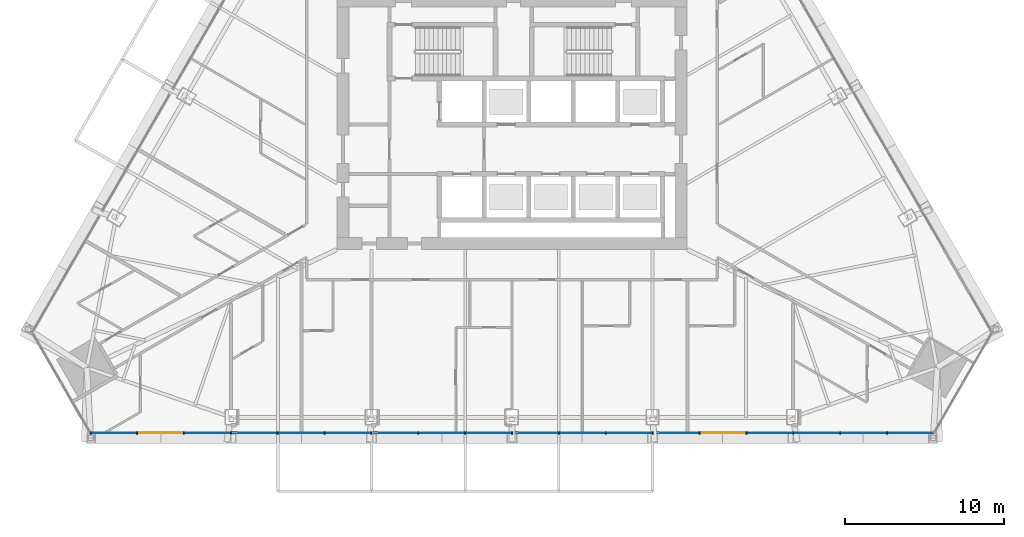
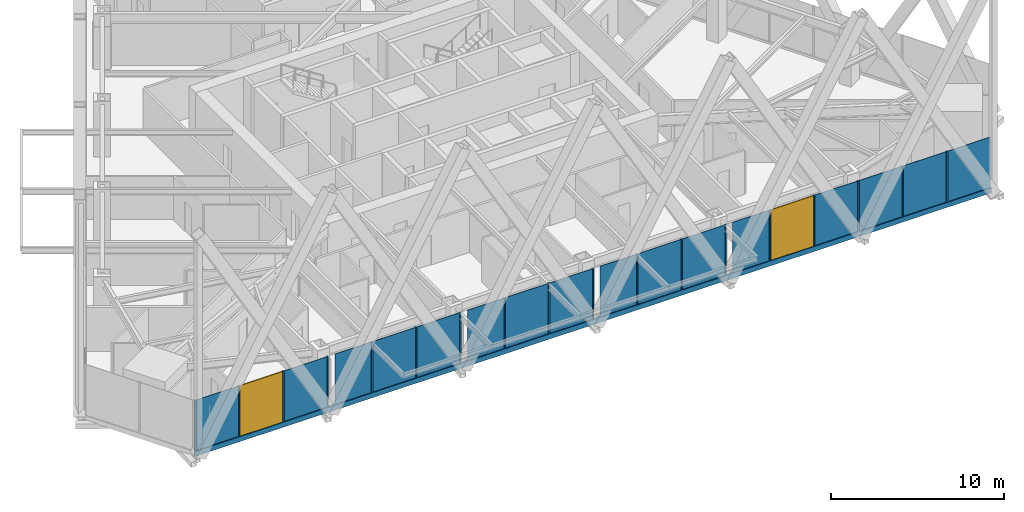
# One storey, part 3 of 19: 19 members, 16 plates, 2 windows, 2 openings, 1 element without a shape of its own.
"""IFC4 building model written with IfcOpenShell, lengths in metres."""

from ifc_helpers import new_model, si_unit, direction, frame, frame_2d, origin, origin_2d, place, context, subcontext, project, spatial, polyline, rectangle, outline, extrude, material, layer, layer_set, material_profile, profile_set, type_object, element, fill, aggregate, save


model = new_model("IFC4")

# Units and contexts
model_context = context("Model", 3, precision=1e-05, world=origin(), true_north=direction((0.0, 1.0)))
body_context = subcontext(model_context, "Body", "Model", "MODEL_VIEW")
ifc_project = project(units=[si_unit("LENGTHUNIT", "METRE"), si_unit("AREAUNIT", "SQUARE_METRE"), si_unit("VOLUMEUNIT", "CUBIC_METRE"), si_unit("PLANEANGLEUNIT", "RADIAN"), si_unit("MASSUNIT", "GRAM", prefix="KILO")], contexts=[model_context])

# Site, building, storey
site_placement = place(None, origin())
site = spatial("IfcSite", under=ifc_project, at=site_placement, CompositionType="ELEMENT")
building_placement = place(site_placement, origin())
building = spatial("IfcBuilding", under=site, at=building_placement, Name="Firuza Gate Tower and Library", CompositionType="ELEMENT")
storey_placement = place(building_placement, frame((0.0, 0.0, 187.0)))
storey = spatial("IfcBuildingStorey", under=building, at=storey_placement, Name="L43", CompositionType="ELEMENT", Elevation=187.0)

# Curtain wall, openings, members, plates, windows
ifc_material_1 = material(Name="Aluminium 6063-T6", Category="aluminium")
ifc_layer_1 = layer(ifc_material_1, 0.14990234375)
ifc_layer_set_1 = layer_set([ifc_layer_1], Name="Unitised curtain wall, hotel")
curtain_wall_type = type_object("IfcCurtainWallType", Name="Unitised curtain wall, hotel", PredefinedType="NOTDEFINED", material=ifc_layer_set_1)
curtain_wall_placement = place(storey_placement, origin())
curtain_wall = element("IfcCurtainWall", 1, at=curtain_wall_placement, inside=storey, type_object=curtain_wall_type, Name="CW2 L43 S face", PredefinedType="NOTDEFINED")
opening_1_placement = place(curtain_wall_placement, frame((51.47119140625, 55.484619140625, 0.14990234375), z_axis=(0.0, 0.0, 1.0), x_axis=(1.0, 0.0, 0.0)))
opening_1 = element("IfcOpeningElement", 2, at=opening_1_placement, cuts=curtain_wall, Name="Opening WD1-003", PredefinedType="OPENING", context=body_context, shape_type="SweptSolid", body=[
    extrude(rectangle(XDim=2.8662109375, YDim=3.550048828125, at=frame_2d((1.43310546875, 1.77490234375))), frame((0.0, 0.0849609375, 0.0), z_axis=(0.0, -1.0, 0.0), x_axis=(1.0, 0.0, 0.0)), (0.0, 0.0, 1.0), 0.169921875),
])
opening_2_placement = place(curtain_wall_placement, frame((86.824462890625, 55.484619140625, 0.14990234375), z_axis=(0.0, 0.0, 1.0), x_axis=(1.0, 0.0, 0.0)))
opening_2 = element("IfcOpeningElement", 3, at=opening_2_placement, cuts=curtain_wall, Name="Opening WD1-004", PredefinedType="OPENING", context=body_context, shape_type="SweptSolid", body=[
    extrude(rectangle(XDim=2.8662109375, YDim=3.550048828125, at=frame_2d((1.43310546875, 1.77490234375))), frame((0.0, 0.0849609375, 0.0), z_axis=(0.0, -1.0, 0.0), x_axis=(1.0, 0.0, 0.0)), (0.0, 0.0, 1.0), 0.169921875),
])
ifc_material_2 = material(Name="Aluminium 6063-T6", Category="aluminium")
ifc_material_profile_1 = material_profile(ifc_material_2, rectangle(XDim=0.14990234375, YDim=0.080078125, at=origin_2d()))
ifc_profile_set_1 = profile_set([ifc_material_profile_1], Name="Aluminium 6063-T6")
member_type_1 = type_object("IfcMemberType", Name="Curtain wall mullion 80x150", PredefinedType="MULLION", material=ifc_profile_set_1)
member_1_placement = place(storey_placement, frame((48.525146484375, 55.484619140625, 0.14990234375), z_axis=(0.0, 0.0, 1.0), x_axis=(0.0, 1.0, 0.0)))
member_1 = element("IfcMember", 4, at=member_1_placement, type_object=member_type_1, Name="Mullion", PredefinedType="MULLION", context=body_context, shape_type="SweptSolid", body=[
    extrude(rectangle(XDim=0.14990234375, YDim=0.080078125, at=origin_2d()), origin(), (0.0, 0.0, 1.0), 3.550048828125),
])
member_2_placement = place(storey_placement, frame((51.43115234375, 55.484619140625, 0.14990234375), z_axis=(0.0, 0.0, 1.0), x_axis=(0.0, 1.0, 0.0)))
member_2 = element("IfcMember", 5, at=member_2_placement, type_object=member_type_1, Name="Mullion", PredefinedType="MULLION", context=body_context, shape_type="SweptSolid", body=[
    extrude(rectangle(XDim=0.14990234375, YDim=0.080078125, at=origin_2d()), origin(), (0.0, 0.0, 1.0), 3.550048828125),
])
member_3_placement = place(storey_placement, frame((54.37744140625, 55.484619140625, 0.14990234375), z_axis=(0.0, 0.0, 1.0), x_axis=(0.0, 1.0, 0.0)))
member_3 = element("IfcMember", 6, at=member_3_placement, type_object=member_type_1, Name="Mullion", PredefinedType="MULLION", context=body_context, shape_type="SweptSolid", body=[
    extrude(rectangle(XDim=0.14990234375, YDim=0.080078125, at=origin_2d()), origin(), (0.0, 0.0, 1.0), 3.550048828125),
])
member_4_placement = place(storey_placement, frame((57.323486328125, 55.484619140625, 0.14990234375), z_axis=(0.0, 0.0, 1.0), x_axis=(0.0, 1.0, 0.0)))
member_4 = element("IfcMember", 7, at=member_4_placement, type_object=member_type_1, Name="Mullion", PredefinedType="MULLION", context=body_context, shape_type="SweptSolid", body=[
    extrude(rectangle(XDim=0.14990234375, YDim=0.080078125, at=origin_2d()), origin(), (0.0, 0.0, 1.0), 3.550048828125),
])
member_5_placement = place(storey_placement, frame((60.26953125, 55.484619140625, 0.14990234375), z_axis=(0.0, 0.0, 1.0), x_axis=(0.0, 1.0, 0.0)))
member_5 = element("IfcMember", 8, at=member_5_placement, type_object=member_type_1, Name="Mullion", PredefinedType="MULLION", context=body_context, shape_type="SweptSolid", body=[
    extrude(rectangle(XDim=0.14990234375, YDim=0.080078125, at=origin_2d()), origin(), (0.0, 0.0, 1.0), 3.550048828125),
])
member_6_placement = place(storey_placement, frame((63.215576171875, 55.484619140625, 0.14990234375), z_axis=(0.0, 0.0, 1.0), x_axis=(0.0, 1.0, 0.0)))
member_6 = element("IfcMember", 9, at=member_6_placement, type_object=member_type_1, Name="Mullion", PredefinedType="MULLION", context=body_context, shape_type="SweptSolid", body=[
    extrude(rectangle(XDim=0.14990234375, YDim=0.080078125, at=origin_2d()), origin(), (0.0, 0.0, 1.0), 3.550048828125),
])
member_7_placement = place(storey_placement, frame((66.16162109375, 55.484619140625, 0.14990234375), z_axis=(0.0, 0.0, 1.0), x_axis=(0.0, 1.0, 0.0)))
member_7 = element("IfcMember", 10, at=member_7_placement, type_object=member_type_1, Name="Mullion", PredefinedType="MULLION", context=body_context, shape_type="SweptSolid", body=[
    extrude(rectangle(XDim=0.14990234375, YDim=0.080078125, at=origin_2d()), origin(), (0.0, 0.0, 1.0), 3.550048828125),
])
member_8_placement = place(storey_placement, frame((69.10791015625, 55.484619140625, 0.14990234375), z_axis=(0.0, 0.0, 1.0), x_axis=(0.0, 1.0, 0.0)))
member_8 = element("IfcMember", 11, at=member_8_placement, type_object=member_type_1, Name="Mullion", PredefinedType="MULLION", context=body_context, shape_type="SweptSolid", body=[
    extrude(rectangle(XDim=0.14990234375, YDim=0.080078125, at=origin_2d()), origin(), (0.0, 0.0, 1.0), 3.550048828125),
])
member_9_placement = place(storey_placement, frame((72.053955078125, 55.484619140625, 0.14990234375), z_axis=(0.0, 0.0, 1.0), x_axis=(0.0, 1.0, 0.0)))
member_9 = element("IfcMember", 12, at=member_9_placement, type_object=member_type_1, Name="Mullion", PredefinedType="MULLION", context=body_context, shape_type="SweptSolid", body=[
    extrude(rectangle(XDim=0.14990234375, YDim=0.080078125, at=origin_2d()), origin(), (0.0, 0.0, 1.0), 3.550048828125),
])
member_10_placement = place(storey_placement, frame((75.0, 55.484619140625, 0.14990234375), z_axis=(0.0, 0.0, 1.0), x_axis=(0.0, 1.0, 0.0)))
member_10 = element("IfcMember", 13, at=member_10_placement, type_object=member_type_1, Name="Mullion", PredefinedType="MULLION", context=body_context, shape_type="SweptSolid", body=[
    extrude(rectangle(XDim=0.14990234375, YDim=0.080078125, at=origin_2d()), origin(), (0.0, 0.0, 1.0), 3.550048828125),
])
member_11_placement = place(storey_placement, frame((77.946044921875, 55.484619140625, 0.14990234375), z_axis=(0.0, 0.0, 1.0), x_axis=(0.0, 1.0, 0.0)))
member_11 = element("IfcMember", 14, at=member_11_placement, type_object=member_type_1, Name="Mullion", PredefinedType="MULLION", context=body_context, shape_type="SweptSolid", body=[
    extrude(rectangle(XDim=0.14990234375, YDim=0.080078125, at=origin_2d()), origin(), (0.0, 0.0, 1.0), 3.550048828125),
])
member_12_placement = place(storey_placement, frame((80.89208984375, 55.484619140625, 0.14990234375), z_axis=(0.0, 0.0, 1.0), x_axis=(0.0, 1.0, 0.0)))
member_12 = element("IfcMember", 15, at=member_12_placement, type_object=member_type_1, Name="Mullion", PredefinedType="MULLION", context=body_context, shape_type="SweptSolid", body=[
    extrude(rectangle(XDim=0.14990234375, YDim=0.080078125, at=origin_2d()), origin(), (0.0, 0.0, 1.0), 3.550048828125),
])
member_13_placement = place(storey_placement, frame((83.83837890625, 55.484619140625, 0.14990234375), z_axis=(0.0, 0.0, 1.0), x_axis=(0.0, 1.0, 0.0)))
member_13 = element("IfcMember", 16, at=member_13_placement, type_object=member_type_1, Name="Mullion", PredefinedType="MULLION", context=body_context, shape_type="SweptSolid", body=[
    extrude(rectangle(XDim=0.14990234375, YDim=0.080078125, at=origin_2d()), origin(), (0.0, 0.0, 1.0), 3.550048828125),
])
member_14_placement = place(storey_placement, frame((86.784423828125, 55.484619140625, 0.14990234375), z_axis=(0.0, 0.0, 1.0), x_axis=(0.0, 1.0, 0.0)))
member_14 = element("IfcMember", 17, at=member_14_placement, type_object=member_type_1, Name="Mullion", PredefinedType="MULLION", context=body_context, shape_type="SweptSolid", body=[
    extrude(rectangle(XDim=0.14990234375, YDim=0.080078125, at=origin_2d()), origin(), (0.0, 0.0, 1.0), 3.550048828125),
])
member_15_placement = place(storey_placement, frame((89.73046875, 55.484619140625, 0.14990234375), z_axis=(0.0, 0.0, 1.0), x_axis=(0.0, 1.0, 0.0)))
member_15 = element("IfcMember", 18, at=member_15_placement, type_object=member_type_1, Name="Mullion", PredefinedType="MULLION", context=body_context, shape_type="SweptSolid", body=[
    extrude(rectangle(XDim=0.14990234375, YDim=0.080078125, at=origin_2d()), origin(), (0.0, 0.0, 1.0), 3.550048828125),
])
member_16_placement = place(storey_placement, frame((92.676513671875, 55.484619140625, 0.14990234375), z_axis=(0.0, 0.0, 1.0), x_axis=(0.0, 1.0, 0.0)))
member_16 = element("IfcMember", 19, at=member_16_placement, type_object=member_type_1, Name="Mullion", PredefinedType="MULLION", context=body_context, shape_type="SweptSolid", body=[
    extrude(rectangle(XDim=0.14990234375, YDim=0.080078125, at=origin_2d()), origin(), (0.0, 0.0, 1.0), 3.550048828125),
])
member_17_placement = place(storey_placement, frame((95.62255859375, 55.484619140625, 0.14990234375), z_axis=(0.0, 0.0, 1.0), x_axis=(0.0, 1.0, 0.0)))
member_17 = element("IfcMember", 20, at=member_17_placement, type_object=member_type_1, Name="Mullion", PredefinedType="MULLION", context=body_context, shape_type="SweptSolid", body=[
    extrude(rectangle(XDim=0.14990234375, YDim=0.080078125, at=origin_2d()), origin(), (0.0, 0.0, 1.0), 3.550048828125),
])
member_18_placement = place(storey_placement, frame((98.56884765625, 55.484619140625, 0.14990234375), z_axis=(0.0, 0.0, 1.0), x_axis=(0.0, 1.0, 0.0)))
member_18 = element("IfcMember", 21, at=member_18_placement, type_object=member_type_1, Name="Mullion", PredefinedType="MULLION", context=body_context, shape_type="SweptSolid", body=[
    extrude(rectangle(XDim=0.14990234375, YDim=0.080078125, at=origin_2d()), origin(), (0.0, 0.0, 1.0), 3.550048828125),
])
ifc_material_3 = material(Name="Aluminium 6063-T6", Category="aluminium")
ifc_material_profile_2 = material_profile(ifc_material_3, rectangle(XDim=0.14990234375, YDim=0.35009765625, at=origin_2d()))
ifc_profile_set_2 = profile_set([ifc_material_profile_2], Name="Aluminium 6063-T6")
member_type_2 = type_object("IfcMemberType", Name="Curtain wall transom 350x150", PredefinedType="USERDEFINED", material=ifc_profile_set_2)
member_19_placement = place(storey_placement, frame((48.485107421875, 55.484619140625, -0.02490234375), z_axis=(1.0, 0.0, 0.0), x_axis=(0.0, 1.0, 0.0)))
member_19 = element("IfcMember", 22, at=member_19_placement, type_object=member_type_2, Name="Transom", ObjectType="TRANSOM", PredefinedType="USERDEFINED", context=body_context, shape_type="SweptSolid", body=[
    extrude(rectangle(XDim=0.14990234375, YDim=0.35009765625, at=origin_2d()), origin(), (0.0, 0.0, 1.0), 53.02978515625),
])
ifc_material_4 = material(Name="Fritted glass", Category="glass")
ifc_layer_2 = layer(ifc_material_4, 0.030029296875)
ifc_layer_set_2 = layer_set([ifc_layer_2], Name="Fritted glass unit, hotel")
plate_type_1 = type_object("IfcPlateType", Name="Fritted glass unit, hotel", PredefinedType="CURTAIN_PANEL", material=ifc_layer_set_2)
plate_1_placement = place(storey_placement, frame((60.3095703125, 55.4697265625, 0.14990234375), z_axis=(0.0, -1.0, 0.0), x_axis=(1.0, 0.0, 0.0)))
plate_1 = element("IfcPlate", 23, at=plate_1_placement, type_object=plate_type_1, Name="Glass unit", PredefinedType="CURTAIN_PANEL", context=body_context, shape_type="SweptSolid", body=[
    extrude(outline(polyline([(0.0, 0.0), (2.865966796875, 0.0), (2.865966796875, 3.550048828125), (0.0, 3.550048828125), (0.0, 0.0)])), origin(), (0.0, 0.0, -1.0), 0.030029296875),
])
plate_2_placement = place(storey_placement, frame((69.147705078125, 55.4697265625, 0.14990234375), z_axis=(0.0, -1.0, 0.0), x_axis=(1.0, 0.0, 0.0)))
plate_2 = element("IfcPlate", 24, at=plate_2_placement, type_object=plate_type_1, Name="Glass unit", PredefinedType="CURTAIN_PANEL", context=body_context, shape_type="SweptSolid", body=[
    extrude(outline(polyline([(0.0, 0.0), (2.8662109375, 0.0), (2.8662109375, 3.550048828125), (0.0, 3.550048828125), (0.0, 0.0)])), origin(), (0.0, 0.0, -1.0), 0.030029296875),
])
plate_3_placement = place(storey_placement, frame((77.986083984375, 55.4697265625, 0.14990234375), z_axis=(0.0, -1.0, 0.0), x_axis=(1.0, 0.0, 0.0)))
plate_3 = element("IfcPlate", 25, at=plate_3_placement, type_object=plate_type_1, Name="Glass unit", PredefinedType="CURTAIN_PANEL", context=body_context, shape_type="SweptSolid", body=[
    extrude(outline(polyline([(0.0, 0.0), (2.8662109375, 0.0), (2.8662109375, 3.550048828125), (0.0, 3.550048828125), (0.0, 0.0)])), origin(), (0.0, 0.0, -1.0), 0.030029296875),
])
plate_4_placement = place(storey_placement, frame((95.66259765625, 55.4697265625, 0.14990234375), z_axis=(0.0, -1.0, 0.0), x_axis=(1.0, 0.0, 0.0)))
plate_4 = element("IfcPlate", 26, at=plate_4_placement, type_object=plate_type_1, Name="Glass unit", PredefinedType="CURTAIN_PANEL", context=body_context, shape_type="SweptSolid", body=[
    extrude(outline(polyline([(0.0, 0.0), (2.8662109375, 0.0), (2.8662109375, 3.550048828125), (0.0, 3.550048828125), (0.0, 0.0)])), origin(), (0.0, 0.0, -1.0), 0.030029296875),
])
ifc_material_5 = material(Name="Glazed ceramic tile")
ifc_layer_3 = layer(ifc_material_5, 0.030029296875)
ifc_layer_set_3 = layer_set([ifc_layer_3], Name="Opaque ceramic panel, hotel")
plate_type_2 = type_object("IfcPlateType", Name="Opaque ceramic panel, hotel", PredefinedType="CURTAIN_PANEL", material=ifc_layer_set_3)
plate_5_placement = place(storey_placement, frame((48.525146484375, 55.4697265625, 0.14990234375), z_axis=(0.0, -1.0, 0.0), x_axis=(1.0, 0.0, 0.0)))
plate_5 = element("IfcPlate", 27, at=plate_5_placement, type_object=plate_type_2, Name="Opaque ceramic panel", PredefinedType="CURTAIN_PANEL", context=body_context, shape_type="SweptSolid", body=[
    extrude(outline(polyline([(0.0, 0.0), (2.865966796875, 0.0), (2.865966796875, 3.550048828125), (0.0, 3.550048828125), (0.0, 0.0)])), origin(), (0.0, 0.0, -1.0), 0.030029296875),
])
plate_6_placement = place(storey_placement, frame((54.417236328125, 55.4697265625, 0.14990234375), z_axis=(0.0, -1.0, 0.0), x_axis=(1.0, 0.0, 0.0)))
plate_6 = element("IfcPlate", 28, at=plate_6_placement, type_object=plate_type_2, Name="Opaque ceramic panel", PredefinedType="CURTAIN_PANEL", context=body_context, shape_type="SweptSolid", body=[
    extrude(outline(polyline([(0.0, 0.0), (2.8662109375, 0.0), (2.8662109375, 3.550048828125), (0.0, 3.550048828125), (0.0, 0.0)])), origin(), (0.0, 0.0, -1.0), 0.030029296875),
])
plate_7_placement = place(storey_placement, frame((57.83935546875, 55.4697265625, 0.14990234375), z_axis=(0.0, -1.0, 0.0), x_axis=(1.0, 0.0, 0.0)))
plate_7 = element("IfcPlate", 29, at=plate_7_placement, type_object=plate_type_2, Name="Opaque ceramic panel", PredefinedType="CURTAIN_PANEL", context=body_context, shape_type="SweptSolid", body=[
    extrude(outline(polyline([(0.0, 0.0), (2.39013671875, 0.0), (2.39013671875, 3.550048828125), (0.0, 3.550048828125), (0.0, 0.0)])), origin(), (0.0, 0.0, -1.0), 0.030029296875),
])
plate_8_placement = place(storey_placement, frame((63.255615234375, 55.4697265625, 0.14990234375), z_axis=(0.0, -1.0, 0.0), x_axis=(1.0, 0.0, 0.0)))
plate_8 = element("IfcPlate", 30, at=plate_8_placement, type_object=plate_type_2, Name="Opaque ceramic panel", PredefinedType="CURTAIN_PANEL", context=body_context, shape_type="SweptSolid", body=[
    extrude(outline(polyline([(0.0, 0.0), (2.8662109375, 0.0), (2.8662109375, 3.550048828125), (0.0, 3.550048828125), (0.0, 0.0)])), origin(), (0.0, 0.0, -1.0), 0.030029296875),
])
plate_9_placement = place(storey_placement, frame((66.6630859375, 55.4697265625, 0.14990234375), z_axis=(0.0, -1.0, 0.0), x_axis=(1.0, 0.0, 0.0)))
plate_9 = element("IfcPlate", 31, at=plate_9_placement, type_object=plate_type_2, Name="Opaque ceramic panel", PredefinedType="CURTAIN_PANEL", context=body_context, shape_type="SweptSolid", body=[
    extrude(outline(polyline([(0.0, 0.0), (2.40478515625, 0.0), (2.40478515625, 3.550048828125), (0.0, 3.550048828125), (0.0, 0.0)])), origin(), (0.0, 0.0, -1.0), 0.030029296875),
])
plate_10_placement = place(storey_placement, frame((72.093994140625, 55.4697265625, 0.14990234375), z_axis=(0.0, -1.0, 0.0), x_axis=(1.0, 0.0, 0.0)))
plate_10 = element("IfcPlate", 32, at=plate_10_placement, type_object=plate_type_2, Name="Opaque ceramic panel", PredefinedType="CURTAIN_PANEL", context=body_context, shape_type="SweptSolid", body=[
    extrude(outline(polyline([(0.0, 0.0), (2.865966796875, 0.0), (2.865966796875, 3.550048828125), (0.0, 3.550048828125), (0.0, 0.0)])), origin(), (0.0, 0.0, -1.0), 0.030029296875),
])
plate_11_placement = place(storey_placement, frame((75.487060546875, 55.4697265625, 0.14990234375), z_axis=(0.0, -1.0, 0.0), x_axis=(1.0, 0.0, 0.0)))
plate_11 = element("IfcPlate", 33, at=plate_11_placement, type_object=plate_type_2, Name="Opaque ceramic panel", PredefinedType="CURTAIN_PANEL", context=body_context, shape_type="SweptSolid", body=[
    extrude(outline(polyline([(0.0, 0.0), (2.4189453125, 0.0), (2.4189453125, 3.550048828125), (0.0, 3.550048828125), (0.0, 0.0)])), origin(), (0.0, 0.0, -1.0), 0.030029296875),
])
plate_12_placement = place(storey_placement, frame((80.93212890625, 55.4697265625, 0.14990234375), z_axis=(0.0, -1.0, 0.0), x_axis=(1.0, 0.0, 0.0)))
plate_12 = element("IfcPlate", 34, at=plate_12_placement, type_object=plate_type_2, Name="Opaque ceramic panel", PredefinedType="CURTAIN_PANEL", context=body_context, shape_type="SweptSolid", body=[
    extrude(outline(polyline([(0.0, 0.0), (2.8662109375, 0.0), (2.8662109375, 3.550048828125), (0.0, 3.550048828125), (0.0, 0.0)])), origin(), (0.0, 0.0, -1.0), 0.030029296875),
])
plate_13_placement = place(storey_placement, frame((84.310791015625, 55.4697265625, 0.14990234375), z_axis=(0.0, -1.0, 0.0), x_axis=(1.0, 0.0, 0.0)))
plate_13 = element("IfcPlate", 35, at=plate_13_placement, type_object=plate_type_2, Name="Opaque ceramic panel", PredefinedType="CURTAIN_PANEL", context=body_context, shape_type="SweptSolid", body=[
    extrude(outline(polyline([(0.0, 0.0), (2.43359375, 0.0), (2.43359375, 3.550048828125), (0.0, 3.550048828125), (0.0, 0.0)])), origin(), (0.0, 0.0, -1.0), 0.030029296875),
])
plate_14_placement = place(storey_placement, frame((89.7705078125, 55.4697265625, 0.14990234375), z_axis=(0.0, -1.0, 0.0), x_axis=(1.0, 0.0, 0.0)))
plate_14 = element("IfcPlate", 36, at=plate_14_placement, type_object=plate_type_2, Name="Opaque ceramic panel", PredefinedType="CURTAIN_PANEL", context=body_context, shape_type="SweptSolid", body=[
    extrude(outline(polyline([(0.0, 0.0), (2.865966796875, 0.0), (2.865966796875, 3.550048828125), (0.0, 3.550048828125), (0.0, 0.0)])), origin(), (0.0, 0.0, -1.0), 0.030029296875),
])
plate_15_placement = place(storey_placement, frame((92.716552734375, 55.4697265625, 0.14990234375), z_axis=(0.0, -1.0, 0.0), x_axis=(1.0, 0.0, 0.0)))
plate_15 = element("IfcPlate", 37, at=plate_15_placement, type_object=plate_type_2, Name="Opaque ceramic panel", PredefinedType="CURTAIN_PANEL", context=body_context, shape_type="SweptSolid", body=[
    extrude(outline(polyline([(0.0, 0.0), (2.8662109375, 0.0), (2.8662109375, 3.550048828125), (0.0, 3.550048828125), (0.0, 0.0)])), origin(), (0.0, 0.0, -1.0), 0.030029296875),
])
plate_16_placement = place(storey_placement, frame((98.60888671875, 55.4697265625, 0.14990234375), z_axis=(0.0, -1.0, 0.0), x_axis=(1.0, 0.0, 0.0)))
plate_16 = element("IfcPlate", 38, at=plate_16_placement, type_object=plate_type_2, Name="Opaque ceramic panel", PredefinedType="CURTAIN_PANEL", context=body_context, shape_type="SweptSolid", body=[
    extrude(outline(polyline([(0.0, 0.0), (2.865966796875, 0.0), (2.865966796875, 3.550048828125), (0.0, 3.550048828125), (0.0, 0.0)])), origin(), (0.0, 0.0, -1.0), 0.030029296875),
])
aggregate(curtain_wall, [member_1, member_2, member_3, member_4, member_5, member_6, member_7, member_8, member_9, member_10, member_11, member_12, member_13, member_14, member_15, member_16, member_17, member_18, member_19, plate_5, plate_6, plate_7, plate_1, plate_8, plate_9, plate_2, plate_10, plate_11, plate_3, plate_12, plate_13, plate_14, plate_15, plate_4, plate_16])
ifc_material_6 = material(Name="Aluminium 6063-T6 and glass", Category="aluminium")
ifc_layer_4 = layer(ifc_material_6, 0.030029296875)
ifc_layer_set_4 = layer_set([ifc_layer_4], Name="Operable glazed unit")
window_type = type_object("IfcWindowType", Name="Operable glazed unit", PartitioningType="SINGLE_PANEL", PredefinedType="WINDOW", material=ifc_layer_set_4)
window_1_placement = place(opening_1_placement, origin())
window_1 = element("IfcWindow", 39, at=window_1_placement, inside=storey, type_object=window_type, Name="Operable glazed unit", OverallHeight=3.550048828125, OverallWidth=2.8662109375, PartitioningType="SINGLE_PANEL", PredefinedType="WINDOW", context=body_context, shape_type="SweptSolid", body=[
    extrude(rectangle(XDim=2.8662109375, YDim=3.550048828125, at=frame_2d((1.43310546875, 1.77490234375))), frame((0.0, 0.030029296875, 0.0), z_axis=(0.0, -1.0, 0.0), x_axis=(1.0, 0.0, 0.0)), (0.0, 0.0, 1.0), 0.06005859375),
])
fill(opening_1, window_1)
window_2_placement = place(opening_2_placement, origin())
window_2 = element("IfcWindow", 40, at=window_2_placement, inside=storey, type_object=window_type, Name="Operable glazed unit", OverallHeight=3.550048828125, OverallWidth=2.8662109375, PartitioningType="SINGLE_PANEL", PredefinedType="WINDOW", context=body_context, shape_type="SweptSolid", body=[
    extrude(rectangle(XDim=2.8662109375, YDim=3.550048828125, at=frame_2d((1.43310546875, 1.77490234375))), frame((0.0, 0.030029296875, 0.0), z_axis=(0.0, -1.0, 0.0), x_axis=(1.0, 0.0, 0.0)), (0.0, 0.0, 1.0), 0.06005859375),
])
fill(opening_2, window_2)

save(model, "model.ifc")
